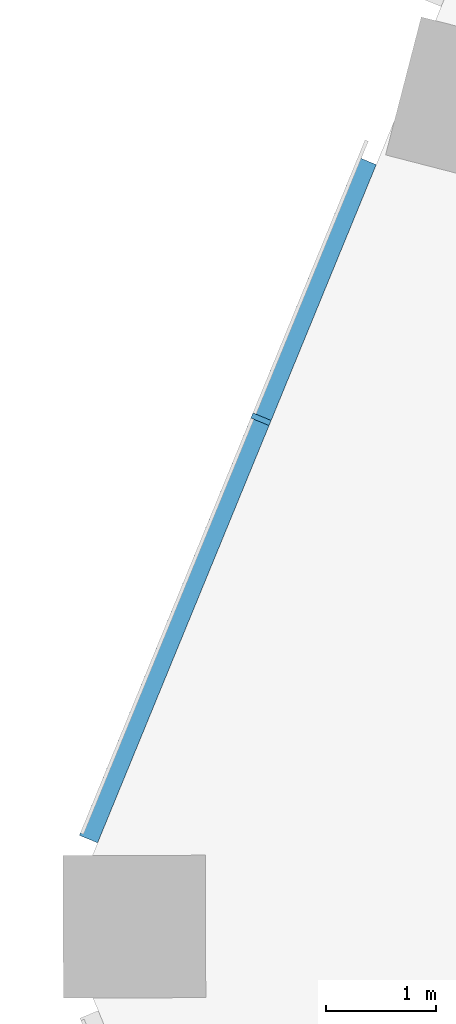
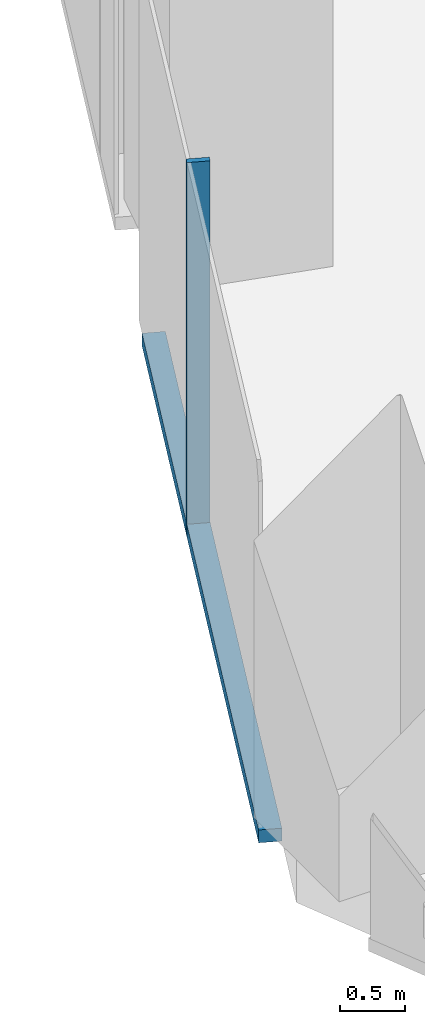
# One storey, part 8 of 34: 2 members, 1 element without a shape of its own.
"""IFC4 building model written with IfcOpenShell, lengths in metres."""

from ifc_helpers import new_model, si_unit, direction, frame, origin, origin_2d, place, context, subcontext, project, spatial, rectangle, extrude, material, material_profile, profile_set, type_object, element, aggregate, save


model = new_model("IFC4")

# Units and contexts
model_context = context("Model", 3, precision=1e-05, world=origin(), true_north=direction((0.0, 1.0)))
body_context = subcontext(model_context, "Body", "Model", "MODEL_VIEW")
ifc_project = project(units=[si_unit("LENGTHUNIT", "METRE"), si_unit("AREAUNIT", "SQUARE_METRE"), si_unit("VOLUMEUNIT", "CUBIC_METRE"), si_unit("PLANEANGLEUNIT", "RADIAN"), si_unit("MASSUNIT", "GRAM", prefix="KILO")], contexts=[model_context])

# Site, building, storey
site_placement = place(None, origin())
site = spatial("IfcSite", under=ifc_project, at=site_placement, CompositionType="ELEMENT")
building_placement = place(site_placement, origin())
building = spatial("IfcBuilding", under=site, at=building_placement, Name="Orlundy Tower", CompositionType="ELEMENT")
storey_placement = place(building_placement, frame((0.0, 0.0, 112.699951171875)))
storey = spatial("IfcBuildingStorey", under=building, at=storey_placement, Name="L28", CompositionType="ELEMENT", Elevation=112.699951171875)

# Curtain wall, members
ifc_material_1 = material(Name="Aluminium bronze anodised", Category="aluminium")
curtain_wall_type = type_object("IfcCurtainWallType", Name="CW1 wall", PredefinedType="NOTDEFINED", material=ifc_material_1)
curtain_wall_placement = place(storey_placement, origin())
curtain_wall = element("IfcCurtainWall", 1, at=curtain_wall_placement, inside=storey, type_object=curtain_wall_type, Name="CW1 run 014", PredefinedType="NOTDEFINED")
ifc_material_2 = material(Name="Aluminium bronze anodised", Category="aluminium")
ifc_material_profile_1 = material_profile(ifc_material_2, rectangle(XDim=0.179931640625, YDim=0.050048828125, at=origin_2d()), Name="CW1 mullion 50x180")
ifc_profile_set_1 = profile_set([ifc_material_profile_1], Name="Aluminium bronze anodised")
member_type_1 = type_object("IfcMemberType", Name="CW1 mullion 50x180", PredefinedType="MULLION", material=ifc_profile_set_1)
member_1_placement = place(storey_placement, frame((-30.66650390625, 4.537841796875, -0.39990234375), z_axis=(0.0, 0.0, 1.0), x_axis=(-0.924984462277, 0.380004927003, 0.0)))
member_1 = element("IfcMember", 2, at=member_1_placement, type_object=member_type_1, Name="CW1 mullion 35", PredefinedType="MULLION", context=body_context, shape_type="SweptSolid", body=[
    extrude(rectangle(XDim=0.179931640625, YDim=0.050048828125, at=origin_2d()), origin(), (0.0, 0.0, 1.0), 3.5),
])
ifc_material_3 = material(Name="Aluminium bronze anodised", Category="aluminium")
ifc_material_profile_2 = material_profile(ifc_material_3, rectangle(XDim=0.179931640625, YDim=0.1201171875, at=origin_2d()), Name="CW1 transom 180x120")
ifc_profile_set_2 = profile_set([ifc_material_profile_2], Name="Aluminium bronze anodised")
member_type_2 = type_object("IfcMemberType", Name="CW1 transom 180x120", PredefinedType="USERDEFINED", material=ifc_profile_set_2)
member_2_placement = place(storey_placement, frame((-32.24072265625, 0.705810546875, -0.33984375), z_axis=(0.380004698875, 0.924984555997, 0.0), x_axis=(-0.924984555997, 0.380004698875, 0.0)))
member_2 = element("IfcMember", 3, at=member_2_placement, type_object=member_type_2, Name="CW1 transom", ObjectType="TRANSOM", PredefinedType="USERDEFINED", context=body_context, shape_type="SweptSolid", body=[
    extrude(rectangle(XDim=0.179931640625, YDim=0.1201171875, at=origin_2d()), origin(), (0.0, 0.0, 1.0), 6.69189453125),
])
aggregate(curtain_wall, [member_1, member_2])

save(model, "model.ifc")
